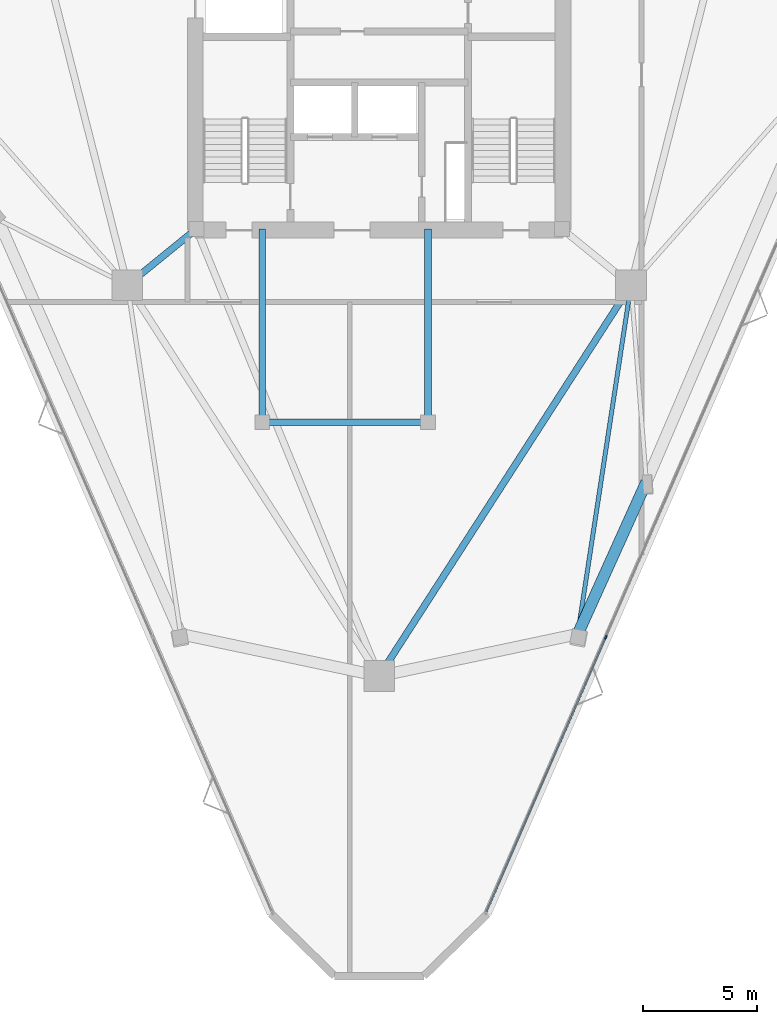
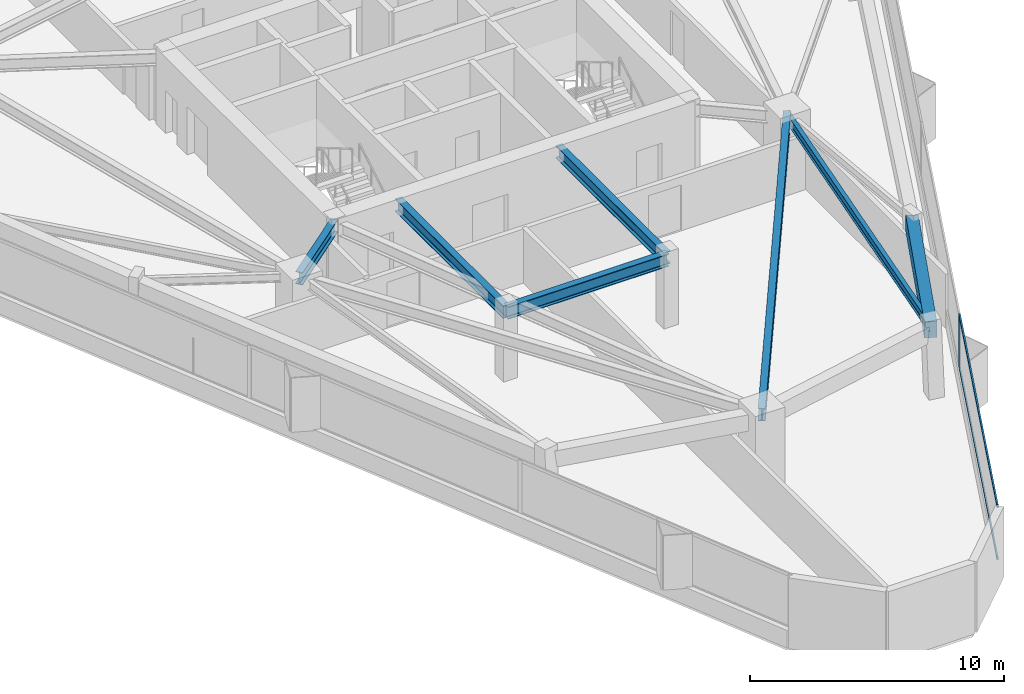
# One storey, part 3 of 12: 7 beams, 3 members, 1 element without a shape of its own.
"""IFC4 building model written with IfcOpenShell, lengths in metres."""

from ifc_helpers import new_model, si_unit, direction, frame, origin, origin_2d, place, context, subcontext, project, spatial, rectangle, i_section, extrude, material, layer, layer_set, material_profile, profile_set, type_object, element, aggregate, save


model = new_model("IFC4")

# Units and contexts
model_context = context("Model", 3, precision=1e-05, world=origin(), true_north=direction((0.0, 1.0)))
body_context = subcontext(model_context, "Body", "Model", "MODEL_VIEW")
ifc_project = project(units=[si_unit("LENGTHUNIT", "METRE"), si_unit("AREAUNIT", "SQUARE_METRE"), si_unit("VOLUMEUNIT", "CUBIC_METRE"), si_unit("PLANEANGLEUNIT", "RADIAN"), si_unit("MASSUNIT", "GRAM", prefix="KILO")], contexts=[model_context])

# Site, building, storey
site_placement = place(None, origin())
site = spatial("IfcSite", under=ifc_project, at=site_placement, CompositionType="ELEMENT")
building_placement = place(site_placement, origin())
building = spatial("IfcBuilding", under=site, at=building_placement, Name="Talyreon Biosciences Tower", CompositionType="ELEMENT")
storey_placement = place(building_placement, frame((0.0, 0.0, 194.0)))
storey = spatial("IfcBuildingStorey", under=building, at=storey_placement, Name="L51", CompositionType="ELEMENT", Elevation=194.0)

# Curtain wall, members
ifc_material_1 = material(Name="Thermally broken aluminium and low-E glazing", Category="aluminium")
ifc_layer = layer(ifc_material_1, 0.179931640625)
ifc_layer_set = layer_set([ifc_layer], Name="Thermally broken aluminium and low-E glazing")
curtain_wall_type = type_object("IfcCurtainWallType", Name="CurtainWall_Zone4Optical", PredefinedType="NOTDEFINED", material=ifc_layer_set)
curtain_wall_placement = place(storey_placement, origin())
curtain_wall = element("IfcCurtainWall", 1, at=curtain_wall_placement, inside=storey, type_object=curtain_wall_type, Name="L51 Unitised Curtain Wall FCW-L51-08", PredefinedType="NOTDEFINED")
ifc_material_2 = material(Name="Anodised thermally broken aluminium", Category="aluminium")
ifc_material_profile_1 = material_profile(ifc_material_2, rectangle(XDim=0.06494140625, YDim=0.179931640625, at=origin_2d()), Name="ALUM MULLION 65x180")
ifc_profile_set_1 = profile_set([ifc_material_profile_1], Name="Anodised thermally broken aluminium")
member_type_1 = type_object("IfcMemberType", Name="CWMullion_65x180", PredefinedType="MULLION", material=ifc_profile_set_1)
member_1_placement = place(storey_placement, frame((75.977783203125, 43.374267578125, 0.81005859375), z_axis=(0.0, 0.0, 1.0), x_axis=(0.917010897502, -0.398862148946, 0.0)))
member_1 = element("IfcMember", 2, at=member_1_placement, type_object=member_type_1, Name="CW5 mullion 4", PredefinedType="MULLION", context=body_context, shape_type="SweptSolid", body=[
    extrude(rectangle(XDim=0.06494140625, YDim=0.179931640625, at=origin_2d()), origin(), (0.0, 0.0, 1.0), 2.58984375),
])
ifc_material_profile_2 = material_profile(ifc_material_2, rectangle(XDim=0.06494140625, YDim=0.139892578125, at=origin_2d()), Name="ALUM TRANSOM 65x140")
ifc_profile_set_2 = profile_set([ifc_material_profile_2], Name="Anodised thermally broken aluminium")
member_type_2 = type_object("IfcMemberType", Name="CWTransom_65x140", PredefinedType="USERDEFINED", material=ifc_profile_set_2)
member_2_placement = place(storey_placement, frame((75.96484375, 43.344482421875, 0.842529296875), z_axis=(-0.398866666561, -0.917008932512, 0.0), x_axis=(0.917008932512, -0.398866666561, 0.0)))
member_2 = element("IfcMember", 3, at=member_2_placement, type_object=member_type_2, Name="CW5 transom 4.1", ObjectType="TRANSOM", PredefinedType="USERDEFINED", context=body_context, shape_type="SweptSolid", body=[
    extrude(rectangle(XDim=0.06494140625, YDim=0.139892578125, at=origin_2d()), origin(), (0.0, 0.0, 1.0), 13.14697265625),
])
member_3_placement = place(storey_placement, frame((75.96484375, 43.344482421875, 3.367431640625), z_axis=(-0.398866666561, -0.917008932512, 0.0), x_axis=(0.917008932512, -0.398866666561, 0.0)))
member_3 = element("IfcMember", 4, at=member_3_placement, type_object=member_type_2, Name="CW5 transom 4.2", ObjectType="TRANSOM", PredefinedType="USERDEFINED", context=body_context, shape_type="SweptSolid", body=[
    extrude(rectangle(XDim=0.06494140625, YDim=0.139892578125, at=origin_2d()), origin(), (0.0, 0.0, 1.0), 13.14697265625),
])
aggregate(curtain_wall, [member_1, member_2, member_3])

# Beams
ifc_material_3 = material(Name="Precast concrete C45/55", Category="concrete")
ifc_material_profile_3 = material_profile(ifc_material_3, rectangle(XDim=0.5, YDim=0.780029296875, at=origin_2d()), Name="RCB 500x780")
ifc_profile_set_3 = profile_set([ifc_material_profile_3], Name="Precast concrete C45/55")
beam_type_1 = type_object("IfcBeamType", Name="ExpressedSpandrel_500x780", PredefinedType="SPANDREL", material=ifc_profile_set_3)
beam_1_placement = place(storey_placement, frame((74.740234375, 43.513916015625, 3.010009765625), z_axis=(0.411224608866, 0.911534048219, 0.0), x_axis=(-0.911534048219, 0.411224608866, 0.0)))
element("IfcBeam", 5, at=beam_1_placement, inside=storey, type_object=beam_type_1, Name="L51 Expressed Horizontal Concrete Spandrel 02", PredefinedType="SPANDREL", context=body_context, shape_type="SweptSolid", body=[
    extrude(rectangle(XDim=0.5, YDim=0.780029296875, at=origin_2d()), origin(), (0.0, 0.0, 1.0), 7.352783203125),
])
ifc_material_4 = material(Name="Steel SM355", Category="steel")
ifc_material_profile_4 = material_profile(ifc_material_4, i_section(OverallWidth=0.300048828125, OverallDepth=0.60009765625, WebThickness=0.015380859375, FlangeThickness=0.030029296875, FilletRadius=0.027099609375, at=origin_2d()), Name="HE600B")
ifc_profile_set_4 = profile_set([ifc_material_profile_4], Name="Steel SM355")
beam_type_2 = type_object("IfcBeamType", Name="SteelBeam_HE600B", PredefinedType="BEAM", material=ifc_profile_set_4)
beam_2_placement = place(storey_placement, frame((66.0, 41.6669921875, 3.10009765625), z_axis=(0.541463723609, 0.840724114092, 0.0), x_axis=(-0.840724114092, 0.541463723609, 0.0)))
element("IfcBeam", 6, at=beam_2_placement, inside=storey, type_object=beam_type_2, Name="L51 Mega-Ring Girder 1", PredefinedType="BEAM", context=body_context, shape_type="SweptSolid", body=[
    extrude(i_section(OverallWidth=0.300048828125, OverallDepth=0.60009765625, WebThickness=0.015380859375, FlangeThickness=0.030029296875, FilletRadius=0.027099609375, at=origin_2d()), origin(), (0.0, 0.0, 1.0), 20.474365234375),
])
beam_3_placement = place(storey_placement, frame((57.949951171875, 61.35009765625, 3.10009765625), z_axis=(-0.775755154013, -0.631034025249, 0.0), x_axis=(0.631034025249, -0.775755154013, 0.0)))
element("IfcBeam", 7, at=beam_3_placement, inside=storey, type_object=beam_type_2, Name="L51 Radial Primary Girder 6", PredefinedType="BEAM", context=body_context, shape_type="SweptSolid", body=[
    extrude(i_section(OverallWidth=0.300048828125, OverallDepth=0.60009765625, WebThickness=0.015380859375, FlangeThickness=0.030029296875, FilletRadius=0.027099609375, at=origin_2d()), origin(), (0.0, 0.0, 1.0), 3.913818359375),
])
beam_4_placement = place(storey_placement, frame((60.85009765625, 52.840087890625, 3.10009765625), z_axis=(1.0, 0.0, 0.0), x_axis=(0.0, 1.0, 0.0)))
element("IfcBeam", 8, at=beam_4_placement, inside=storey, type_object=beam_type_2, Name="L51 Crown Shaft Spine Girder S", PredefinedType="BEAM", context=body_context, shape_type="SweptSolid", body=[
    extrude(i_section(OverallWidth=0.300048828125, OverallDepth=0.60009765625, WebThickness=0.015380859375, FlangeThickness=0.030029296875, FilletRadius=0.027099609375, at=origin_2d()), origin(), (0.0, 0.0, 1.0), 7.2998046875),
])
for number, where, z_axis, x_axis, name in (
    (9, (60.85009765625, 52.840087890625, 3.10009765625), (0.0, 1.0, 0.0), (-1.0, 0.0, 0.0), "L51 Crown Shaft Tie Girder W"),
    (10, (68.14990234375, 52.840087890625, 3.10009765625), (0.0, 1.0, 0.0), (-1.0, 0.0, 0.0), "L51 Crown Shaft Tie Girder E"),
):
    element("IfcBeam", number, at=place(storey_placement, frame(where, z_axis=z_axis, x_axis=x_axis)), inside=storey, type_object=beam_type_2, Name=name, PredefinedType="BEAM", context=body_context, shape_type="SweptSolid", body=[
        extrude(i_section(OverallWidth=0.300048828125, OverallDepth=0.60009765625, WebThickness=0.015380859375, FlangeThickness=0.030029296875, FilletRadius=0.027099609375, at=origin_2d()), origin(), (0.0, 0.0, 1.0), 8.510009765625),
    ])
ifc_material_profile_5 = material_profile(ifc_material_4, i_section(OverallWidth=0.18994140625, OverallDepth=0.449951171875, WebThickness=0.009521484375, FlangeThickness=0.0146484375, FilletRadius=0.02099609375, at=origin_2d()), Name="IPE450")
ifc_profile_set_5 = profile_set([ifc_material_profile_5], Name="Steel SM355")
beam_type_3 = type_object("IfcBeamType", Name="SteelJoist_IPE450", PredefinedType="JOIST", material=ifc_profile_set_5)
beam_5_placement = place(storey_placement, frame((77.086181640625, 58.88037109375, 3.175048828125), z_axis=(-0.150918177199, -0.98854625779, 0.0), x_axis=(0.98854625779, -0.150918177199, 0.0)))
element("IfcBeam", 11, at=beam_5_placement, inside=storey, type_object=beam_type_3, Name="L51 Radial Composite Floor Joist PC-SE1", PredefinedType="JOIST", context=body_context, shape_type="SweptSolid", body=[
    extrude(i_section(OverallWidth=0.18994140625, OverallDepth=0.449951171875, WebThickness=0.009521484375, FlangeThickness=0.0146484375, FilletRadius=0.02099609375, at=origin_2d()), origin(), (0.0, 0.0, 1.0), 15.54443359375),
])

save(model, "model.ifc")
